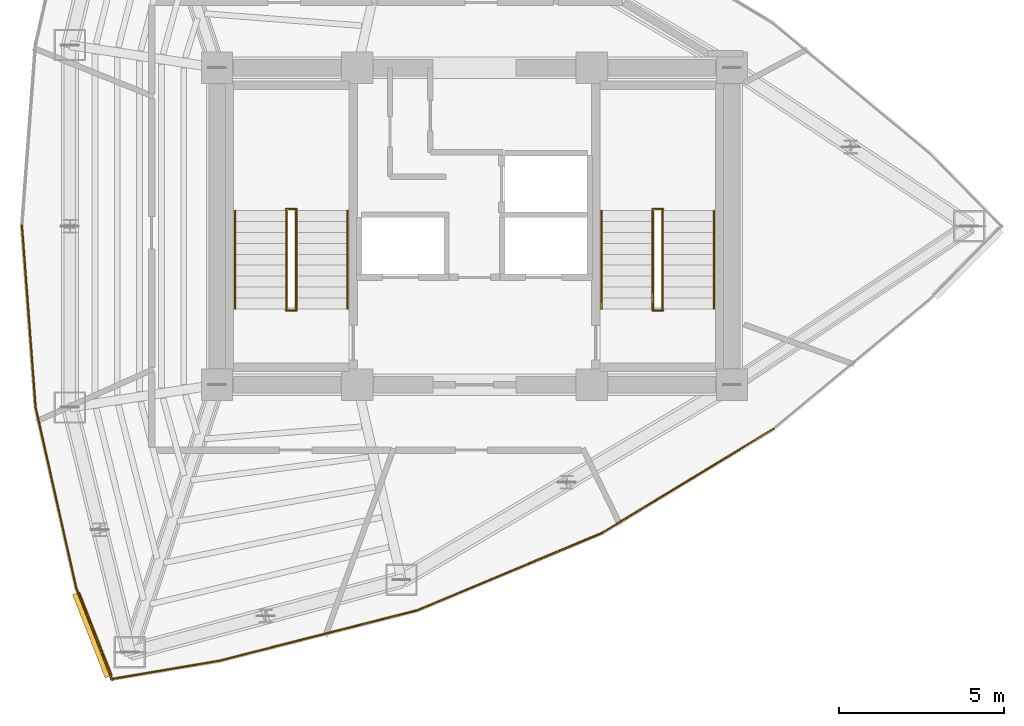
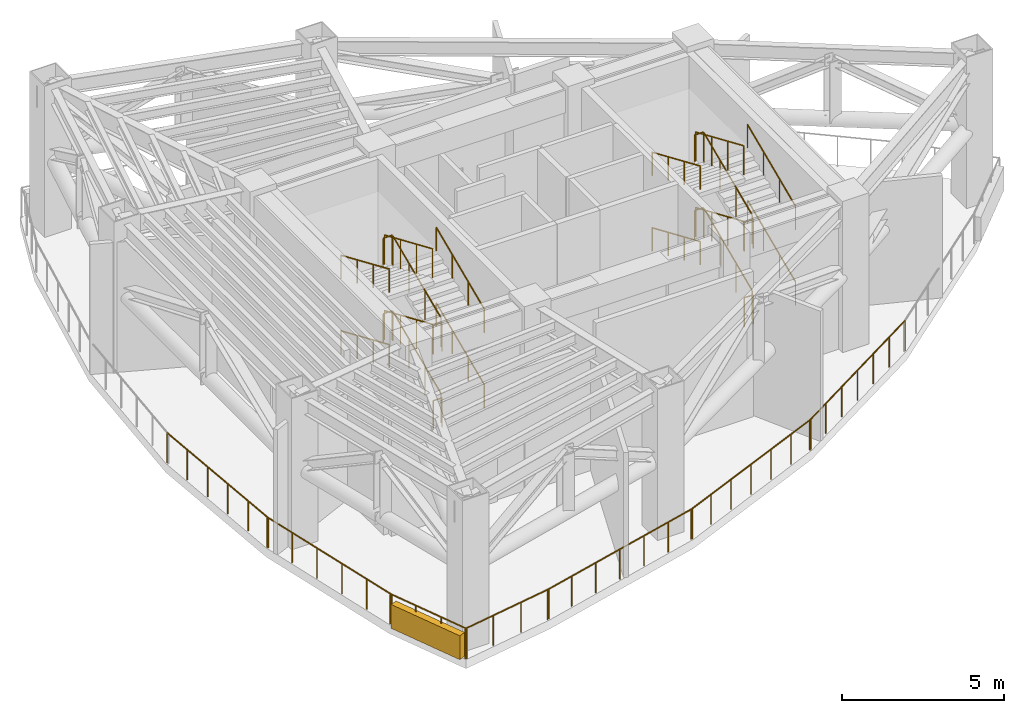
# One storey, part 5 of 6: 31 railings, 1 shading device.
"""IFC4 building model written with IfcOpenShell, lengths in metres."""

from ifc_helpers import new_model, si_unit, direction, frame, origin, origin_2d, place, context, subcontext, project, spatial, rectangle, circle, extrude, material, layer, layer_set, type_object, element, save


model = new_model("IFC4")

# Units and contexts
model_context = context("Model", 3, precision=1e-05, world=origin(), true_north=direction((0.0, 1.0)))
body_context = subcontext(model_context, "Body", "Model", "MODEL_VIEW")
ifc_project = project(units=[si_unit("LENGTHUNIT", "METRE"), si_unit("AREAUNIT", "SQUARE_METRE"), si_unit("VOLUMEUNIT", "CUBIC_METRE"), si_unit("PLANEANGLEUNIT", "RADIAN"), si_unit("MASSUNIT", "GRAM", prefix="KILO")], contexts=[model_context])

# Site, building, storey
site_placement = place(None, origin())
site = spatial("IfcSite", under=ifc_project, at=site_placement, CompositionType="ELEMENT")
building_placement = place(site_placement, origin())
building = spatial("IfcBuilding", under=site, at=building_placement, Name="Menara Vayukalpa", CompositionType="ELEMENT")
storey_placement = place(building_placement, frame((0.0, 0.0, 213.840087890625)))
storey = spatial("IfcBuildingStorey", under=building, at=storey_placement, Name="L54", CompositionType="ELEMENT", Elevation=213.840087890625)

# Railings
ifc_material_1 = material(Name="Laminated Glass and Stainless Steel 316 Guardrail", Category="steel")
railing_type_1 = type_object("IfcRailingType", Name="RLG-EXT115", PredefinedType="GUARDRAIL", material=ifc_material_1)
railing_1_placement = place(storey_placement, frame((34.657958984375, 15.865234375, 0.0)))
element("IfcRailing", 1, at=railing_1_placement, inside=storey, type_object=railing_type_1, Name="L54 Wind Floor Perimeter Guardrail 02", PredefinedType="GUARDRAIL", context=body_context, shape_type="SweptSolid", body=[
    extrude(circle(Radius=0.02392578125, at=origin_2d()), frame((0.0, 0.0, 1.1259765625), z_axis=(-0.854662264989, -0.51918437265, 0.0), x_axis=(0.51918437265, -0.854662264989, 0.0)), (0.0, 0.0, 1.0), 6.115966796875),
    extrude(circle(Radius=0.02099609375, at=origin_2d()), origin(), (0.0, 0.0, 1.0), 1.101806640625),
    extrude(circle(Radius=0.02099609375, at=origin_2d()), frame((-0.87109375, -0.529296875, 0.0)), (0.0, 0.0, 1.0), 1.101806640625),
    extrude(circle(Radius=0.02099609375, at=origin_2d()), frame((-1.742431640625, -1.058349609375, 0.0)), (0.0, 0.0, 1.0), 1.101806640625),
    extrude(circle(Radius=0.02099609375, at=origin_2d()), frame((-2.613525390625, -1.587646484375, 0.0)), (0.0, 0.0, 1.0), 1.101806640625),
    extrude(circle(Radius=0.02099609375, at=origin_2d()), frame((-3.484619140625, -2.116943359375, 0.0)), (0.0, 0.0, 1.0), 1.101806640625),
    extrude(circle(Radius=0.02099609375, at=origin_2d()), frame((-4.35595703125, -2.64599609375, 0.0)), (0.0, 0.0, 1.0), 1.101806640625),
    extrude(circle(Radius=0.02099609375, at=origin_2d()), frame((-5.22705078125, -3.17529296875, 0.0)), (0.0, 0.0, 1.0), 1.101806640625),
])
railing_2_placement = place(storey_placement, frame((29.484130859375, 12.717041015625, 0.0)))
element("IfcRailing", 2, at=railing_2_placement, inside=storey, type_object=railing_type_1, Name="L54 Wind Floor Perimeter Guardrail 03", PredefinedType="GUARDRAIL", context=body_context, shape_type="SweptSolid", body=[
    extrude(circle(Radius=0.02392578125, at=origin_2d()), frame((0.0, 0.0, 1.1259765625), z_axis=(-0.922545773608, -0.385887672254, 0.0), x_axis=(0.385887672254, -0.922545773608, 0.0)), (0.0, 0.0, 1.0), 6.115966796875),
    extrude(circle(Radius=0.02099609375, at=origin_2d()), origin(), (0.0, 0.0, 1.0), 1.101806640625),
    extrude(circle(Radius=0.02099609375, at=origin_2d()), frame((-0.9404296875, -0.393310546875, 0.0)), (0.0, 0.0, 1.0), 1.101806640625),
    extrude(circle(Radius=0.02099609375, at=origin_2d()), frame((-1.880859375, -0.78662109375, 0.0)), (0.0, 0.0, 1.0), 1.101806640625),
    extrude(circle(Radius=0.02099609375, at=origin_2d()), frame((-2.8212890625, -1.18017578125, 0.0)), (0.0, 0.0, 1.0), 1.101806640625),
    extrude(circle(Radius=0.02099609375, at=origin_2d()), frame((-3.761474609375, -1.573486328125, 0.0)), (0.0, 0.0, 1.0), 1.101806640625),
    extrude(circle(Radius=0.02099609375, at=origin_2d()), frame((-4.701904296875, -1.966796875, 0.0)), (0.0, 0.0, 1.0), 1.101806640625),
    extrude(circle(Radius=0.02099609375, at=origin_2d()), frame((-5.642333984375, -2.360107421875, 0.0)), (0.0, 0.0, 1.0), 1.101806640625),
])
railing_3_placement = place(storey_placement, frame((23.898681640625, 10.3759765625, 0.0)))
element("IfcRailing", 3, at=railing_3_placement, inside=storey, type_object=railing_type_1, Name="L54 Wind Floor Perimeter Guardrail 04", PredefinedType="GUARDRAIL", context=body_context, shape_type="SweptSolid", body=[
    extrude(circle(Radius=0.02392578125, at=origin_2d()), frame((0.0, 0.0, 1.1259765625), z_axis=(-0.968983191486, -0.247126636803, 0.0), x_axis=(0.247126636803, -0.968983191486, 0.0)), (0.0, 0.0, 1.0), 6.25244140625),
    extrude(circle(Radius=0.02099609375, at=origin_2d()), origin(), (0.0, 0.0, 1.0), 1.101806640625),
    extrude(circle(Radius=0.02099609375, at=origin_2d()), frame((-1.009765625, -0.257568359375, 0.0)), (0.0, 0.0, 1.0), 1.101806640625),
    extrude(circle(Radius=0.02099609375, at=origin_2d()), frame((-2.01953125, -0.51513671875, 0.0)), (0.0, 0.0, 1.0), 1.101806640625),
    extrude(circle(Radius=0.02099609375, at=origin_2d()), frame((-3.029296875, -0.7724609375, 0.0)), (0.0, 0.0, 1.0), 1.101806640625),
    extrude(circle(Radius=0.02099609375, at=origin_2d()), frame((-4.0390625, -1.030029296875, 0.0)), (0.0, 0.0, 1.0), 1.101806640625),
    extrude(circle(Radius=0.02099609375, at=origin_2d()), frame((-5.048828125, -1.28759765625, 0.0)), (0.0, 0.0, 1.0), 1.101806640625),
    extrude(circle(Radius=0.02099609375, at=origin_2d()), frame((-6.05859375, -1.545166015625, 0.0)), (0.0, 0.0, 1.0), 1.101806640625),
])
railing_4_placement = place(storey_placement, frame((17.898681640625, 8.84326171875, 0.0)))
element("IfcRailing", 4, at=railing_4_placement, inside=storey, type_object=railing_type_1, Name="L54 Wind Floor Perimeter Guardrail 05", PredefinedType="GUARDRAIL", context=body_context, shape_type="SweptSolid", body=[
    extrude(circle(Radius=0.02392578125, at=origin_2d()), frame((0.0, 0.0, 1.1259765625), z_axis=(-0.985894261888, -0.167369365108, 0.0), x_axis=(0.167369365108, -0.985894261888, 0.0)), (0.0, 0.0, 1.0), 3.35791015625),
    extrude(circle(Radius=0.02099609375, at=origin_2d()), origin(), (0.0, 0.0, 1.0), 1.101806640625),
    extrude(circle(Radius=0.02099609375, at=origin_2d()), frame((-1.103515625, -0.187255859375, 0.0)), (0.0, 0.0, 1.0), 1.101806640625),
    extrude(circle(Radius=0.02099609375, at=origin_2d()), frame((-2.20703125, -0.374755859375, 0.0)), (0.0, 0.0, 1.0), 1.101806640625),
    extrude(circle(Radius=0.02099609375, at=origin_2d()), frame((-3.310546875, -0.56201171875, 0.0)), (0.0, 0.0, 1.0), 1.101806640625),
])
railing_5_placement = place(storey_placement, frame((14.62890625, 8.25830078125, 0.0)))
element("IfcRailing", 5, at=railing_5_placement, inside=storey, type_object=railing_type_1, Name="L54 Wind Floor Perimeter Guardrail 06", PredefinedType="GUARDRAIL", context=body_context, shape_type="SweptSolid", body=[
    extrude(circle(Radius=0.02392578125, at=origin_2d()), frame((0.0, 0.0, 1.1259765625), z_axis=(-0.365594801892, 0.930774108379, 0.0), x_axis=(-0.930774108379, -0.365594801892, 0.0)), (0.0, 0.0, 1.0), 3.017822265625),
    extrude(circle(Radius=0.02099609375, at=origin_2d()), origin(), (0.0, 0.0, 1.0), 1.101806640625),
    extrude(circle(Radius=0.02099609375, at=origin_2d()), frame((-0.36767578125, 0.936279296875, 0.0)), (0.0, 0.0, 1.0), 1.101806640625),
    extrude(circle(Radius=0.02099609375, at=origin_2d()), frame((-0.735595703125, 1.87255859375, 0.0)), (0.0, 0.0, 1.0), 1.101806640625),
    extrude(circle(Radius=0.02099609375, at=origin_2d()), frame((-1.103271484375, 2.808837890625, 0.0)), (0.0, 0.0, 1.0), 1.101806640625),
])
railing_6_placement = place(storey_placement, frame((13.543212890625, 11.010009765625, 0.0)))
element("IfcRailing", 6, at=railing_6_placement, inside=storey, type_object=railing_type_1, Name="L54 Wind Floor Perimeter Guardrail 07", PredefinedType="GUARDRAIL", context=body_context, shape_type="SweptSolid", body=[
    extrude(circle(Radius=0.02392578125, at=origin_2d()), frame((0.0, 0.0, 1.1259765625), z_axis=(-0.219529590651, 0.975605841941, 0.0), x_axis=(-0.975605841941, -0.219529590651, 0.0)), (0.0, 0.0, 1.0), 5.67724609375),
    extrude(circle(Radius=0.02099609375, at=origin_2d()), origin(), (0.0, 0.0, 1.0), 1.101806640625),
    extrude(circle(Radius=0.02099609375, at=origin_2d()), frame((-0.249267578125, 1.107666015625, 0.0)), (0.0, 0.0, 1.0), 1.101806640625),
    extrude(circle(Radius=0.02099609375, at=origin_2d()), frame((-0.49853515625, 2.215576171875, 0.0)), (0.0, 0.0, 1.0), 1.101806640625),
    extrude(circle(Radius=0.02099609375, at=origin_2d()), frame((-0.747802734375, 3.3232421875, 0.0)), (0.0, 0.0, 1.0), 1.101806640625),
    extrude(circle(Radius=0.02099609375, at=origin_2d()), frame((-0.9970703125, 4.43115234375, 0.0)), (0.0, 0.0, 1.0), 1.101806640625),
    extrude(circle(Radius=0.02099609375, at=origin_2d()), frame((-1.246337890625, 5.538818359375, 0.0)), (0.0, 0.0, 1.0), 1.101806640625),
])
railing_7_placement = place(storey_placement, frame((12.3056640625, 16.48974609375, 0.0)))
element("IfcRailing", 7, at=railing_7_placement, inside=storey, type_object=railing_type_1, Name="L54 Wind Floor Perimeter Guardrail 08", PredefinedType="GUARDRAIL", context=body_context, shape_type="SweptSolid", body=[
    extrude(circle(Radius=0.02392578125, at=origin_2d()), frame((0.0, 0.0, 1.1259765625), z_axis=(-0.074794318156, 0.997198982135, 0.0), x_axis=(-0.997198982135, -0.074794318156, 0.0)), (0.0, 0.0, 1.0), 5.5556640625),
    extrude(circle(Radius=0.02099609375, at=origin_2d()), origin(), (0.0, 0.0, 1.0), 1.101806640625),
    extrude(circle(Radius=0.02099609375, at=origin_2d()), frame((-0.0830078125, 1.10791015625, 0.0)), (0.0, 0.0, 1.0), 1.101806640625),
    extrude(circle(Radius=0.02099609375, at=origin_2d()), frame((-0.166259765625, 2.216064453125, 0.0)), (0.0, 0.0, 1.0), 1.101806640625),
    extrude(circle(Radius=0.02099609375, at=origin_2d()), frame((-0.249267578125, 3.323974609375, 0.0)), (0.0, 0.0, 1.0), 1.101806640625),
    extrude(circle(Radius=0.02099609375, at=origin_2d()), frame((-0.33251953125, 4.43212890625, 0.0)), (0.0, 0.0, 1.0), 1.101806640625),
    extrude(circle(Radius=0.02099609375, at=origin_2d()), frame((-0.41552734375, 5.5400390625, 0.0)), (0.0, 0.0, 1.0), 1.101806640625),
])
ifc_material_2 = material(Name="Powder-Coated Galvanised Steel Guardrail", Category="steel")
railing_type_2 = type_object("IfcRailingType", Name="RLG-STG110", PredefinedType="GUARDRAIL", material=ifc_material_2)
railing_8_placement = place(storey_placement, frame((20.199951171875, 19.5, 0.142333984375)))
element("IfcRailing", 8, at=railing_8_placement, inside=storey, type_object=railing_type_2, Name="L54 ST-1 stair guard 1", PredefinedType="GUARDRAIL", context=body_context, shape_type="SweptSolid", body=[
    extrude(circle(Radius=0.02392578125, at=origin_2d()), frame((0.0, 0.0, 1.09619140625), z_axis=(0.0, 0.918064226254, 0.39643167945), x_axis=(-1.0, 0.0, 0.0)), (0.0, 0.0, 1.0), 3.235107421875),
    extrude(circle(Radius=0.02099609375, at=origin_2d()), origin(), (0.0, 0.0, 1.0), 1.072021484375),
    extrude(circle(Radius=0.02099609375, at=origin_2d()), frame((0.0, 0.989990234375, 0.427490234375)), (0.0, 0.0, 1.0), 1.072021484375),
    extrude(circle(Radius=0.02099609375, at=origin_2d()), frame((0.0, 1.97998046875, 0.85498046875)), (0.0, 0.0, 1.0), 1.072021484375),
    extrude(circle(Radius=0.02099609375, at=origin_2d()), frame((0.0, 2.969970703125, 1.282470703125)), (0.0, 0.0, 1.0), 1.072021484375),
])
railing_9_placement = place(storey_placement, frame((20.2099609375, 22.52001953125, 1.4248046875)))
element("IfcRailing", 9, at=railing_9_placement, inside=storey, type_object=railing_type_2, Name="L54 ST-1 stair guard 2", PredefinedType="GUARDRAIL", context=body_context, shape_type="SweptSolid", body=[
    extrude(circle(Radius=0.02392578125, at=origin_2d()), frame((0.0, 0.0, 1.09619140625), z_axis=(-1.0, 0.0, 0.0), x_axis=(0.0, -1.0, 0.0)), (0.0, 0.0, 1.0), 0.320068359375),
    extrude(circle(Radius=0.02099609375, at=origin_2d()), origin(), (0.0, 0.0, 1.0), 1.072021484375),
    extrude(circle(Radius=0.02099609375, at=origin_2d()), frame((-0.320068359375, 0.0, 0.0)), (0.0, 0.0, 1.0), 1.072021484375),
])
railing_10_placement = place(storey_placement, frame((19.89990234375, 22.469970703125, 1.5673828125)))
element("IfcRailing", 10, at=railing_10_placement, inside=storey, type_object=railing_type_2, Name="L54 ST-1 stair guard 3", PredefinedType="GUARDRAIL", context=body_context, shape_type="SweptSolid", body=[
    extrude(circle(Radius=0.02392578125, at=origin_2d()), frame((0.0, 0.0, 1.09619140625), z_axis=(0.0, -0.918064226254, 0.39643167945), x_axis=(1.0, 0.0, 0.0)), (0.0, 0.0, 1.0), 3.235107421875),
    extrude(circle(Radius=0.02099609375, at=origin_2d()), origin(), (0.0, 0.0, 1.0), 1.072021484375),
    extrude(circle(Radius=0.02099609375, at=origin_2d()), frame((0.0, -0.989990234375, 0.427490234375)), (0.0, 0.0, 1.0), 1.072021484375),
    extrude(circle(Radius=0.02099609375, at=origin_2d()), frame((0.0, -1.97998046875, 0.85498046875)), (0.0, 0.0, 1.0), 1.072021484375),
    extrude(circle(Radius=0.02099609375, at=origin_2d()), frame((0.0, -2.969970703125, 1.282470703125)), (0.0, 0.0, 1.0), 1.072021484375),
])
railing_11_placement = place(storey_placement, frame((20.2099609375, 19.449951171875, 2.849853515625)))
element("IfcRailing", 11, at=railing_11_placement, inside=storey, type_object=railing_type_2, Name="L54 ST-1 stair guard 4", PredefinedType="GUARDRAIL", context=body_context, shape_type="SweptSolid", body=[
    extrude(circle(Radius=0.02392578125, at=origin_2d()), frame((0.0, 0.0, 1.09619140625), z_axis=(-1.0, 0.0, 0.0), x_axis=(0.0, -1.0, 0.0)), (0.0, 0.0, 1.0), 0.320068359375),
    extrude(circle(Radius=0.02099609375, at=origin_2d()), origin(), (0.0, 0.0, 1.0), 1.072021484375),
    extrude(circle(Radius=0.02099609375, at=origin_2d()), frame((-0.320068359375, 0.0, 0.0)), (0.0, 0.0, 1.0), 1.072021484375),
])
railing_12_placement = place(storey_placement, frame((20.199951171875, 19.5, 2.992431640625)))
element("IfcRailing", 12, at=railing_12_placement, inside=storey, type_object=railing_type_2, Name="L54 ST-1 stair guard 5", PredefinedType="GUARDRAIL", context=body_context, shape_type="SweptSolid", body=[
    extrude(circle(Radius=0.02392578125, at=origin_2d()), frame((0.0, 0.0, 1.09619140625), z_axis=(0.0, 0.918064226254, 0.39643167945), x_axis=(-1.0, 0.0, 0.0)), (0.0, 0.0, 1.0), 3.235107421875),
    extrude(circle(Radius=0.02099609375, at=origin_2d()), origin(), (0.0, 0.0, 1.0), 1.072021484375),
    extrude(circle(Radius=0.02099609375, at=origin_2d()), frame((0.0, 0.989990234375, 0.427490234375)), (0.0, 0.0, 1.0), 1.072021484375),
    extrude(circle(Radius=0.02099609375, at=origin_2d()), frame((0.0, 1.97998046875, 0.85498046875)), (0.0, 0.0, 1.0), 1.072021484375),
    extrude(circle(Radius=0.02099609375, at=origin_2d()), frame((0.0, 2.969970703125, 1.282470703125)), (0.0, 0.0, 1.0), 1.072021484375),
])
railing_13_placement = place(storey_placement, frame((20.2099609375, 22.52001953125, 4.27490234375)))
element("IfcRailing", 13, at=railing_13_placement, inside=storey, type_object=railing_type_2, Name="L54 ST-1 stair guard 6", PredefinedType="GUARDRAIL", context=body_context, shape_type="SweptSolid", body=[
    extrude(circle(Radius=0.02392578125, at=origin_2d()), frame((0.0, 0.0, 1.09619140625), z_axis=(-1.0, 0.0, 0.0), x_axis=(0.0, -1.0, 0.0)), (0.0, 0.0, 1.0), 0.320068359375),
    extrude(circle(Radius=0.02099609375, at=origin_2d()), origin(), (0.0, 0.0, 1.0), 1.072021484375),
    extrude(circle(Radius=0.02099609375, at=origin_2d()), frame((-0.320068359375, 0.0, 0.0)), (0.0, 0.0, 1.0), 1.072021484375),
])
railing_14_placement = place(storey_placement, frame((19.89990234375, 22.469970703125, 4.41748046875)))
element("IfcRailing", 14, at=railing_14_placement, inside=storey, type_object=railing_type_2, Name="L54 ST-1 stair guard 7", PredefinedType="GUARDRAIL", context=body_context, shape_type="SweptSolid", body=[
    extrude(circle(Radius=0.02392578125, at=origin_2d()), frame((0.0, 0.0, 1.09619140625), z_axis=(0.0, -0.918064226254, 0.39643167945), x_axis=(1.0, 0.0, 0.0)), (0.0, 0.0, 1.0), 3.235107421875),
    extrude(circle(Radius=0.02099609375, at=origin_2d()), origin(), (0.0, 0.0, 1.0), 1.072021484375),
    extrude(circle(Radius=0.02099609375, at=origin_2d()), frame((0.0, -0.989990234375, 0.427490234375)), (0.0, 0.0, 1.0), 1.072021484375),
    extrude(circle(Radius=0.02099609375, at=origin_2d()), frame((0.0, -1.97998046875, 0.85498046875)), (0.0, 0.0, 1.0), 1.072021484375),
    extrude(circle(Radius=0.02099609375, at=origin_2d()), frame((0.0, -2.969970703125, 1.282470703125)), (0.0, 0.0, 1.0), 1.072021484375),
])
railing_15_placement = place(storey_placement, frame((20.2099609375, 19.449951171875, 0.0)))
element("IfcRailing", 15, at=railing_15_placement, inside=storey, type_object=railing_type_2, Name="L54 ST-1 stair guard 8", PredefinedType="GUARDRAIL", context=body_context, shape_type="SweptSolid", body=[
    extrude(circle(Radius=0.02392578125, at=origin_2d()), frame((0.0, 0.0, 1.09619140625), z_axis=(-1.0, 0.0, 0.0), x_axis=(0.0, -1.0, 0.0)), (0.0, 0.0, 1.0), 0.320068359375),
    extrude(circle(Radius=0.02099609375, at=origin_2d()), origin(), (0.0, 0.0, 1.0), 1.072021484375),
    extrude(circle(Radius=0.02099609375, at=origin_2d()), frame((-0.320068359375, 0.0, 0.0)), (0.0, 0.0, 1.0), 1.072021484375),
])
railing_16_placement = place(storey_placement, frame((31.300048828125, 19.5, 0.142333984375)))
element("IfcRailing", 16, at=railing_16_placement, inside=storey, type_object=railing_type_2, Name="L54 ST-2 stair guard 1", PredefinedType="GUARDRAIL", context=body_context, shape_type="SweptSolid", body=[
    extrude(circle(Radius=0.02392578125, at=origin_2d()), frame((0.0, 0.0, 1.09619140625), z_axis=(0.0, 0.918064226254, 0.39643167945), x_axis=(-1.0, 0.0, 0.0)), (0.0, 0.0, 1.0), 3.235107421875),
    extrude(circle(Radius=0.02099609375, at=origin_2d()), origin(), (0.0, 0.0, 1.0), 1.072021484375),
    extrude(circle(Radius=0.02099609375, at=origin_2d()), frame((0.0, 0.989990234375, 0.427490234375)), (0.0, 0.0, 1.0), 1.072021484375),
    extrude(circle(Radius=0.02099609375, at=origin_2d()), frame((0.0, 1.97998046875, 0.85498046875)), (0.0, 0.0, 1.0), 1.072021484375),
    extrude(circle(Radius=0.02099609375, at=origin_2d()), frame((0.0, 2.969970703125, 1.282470703125)), (0.0, 0.0, 1.0), 1.072021484375),
])
railing_17_placement = place(storey_placement, frame((31.31005859375, 22.52001953125, 1.4248046875)))
element("IfcRailing", 17, at=railing_17_placement, inside=storey, type_object=railing_type_2, Name="L54 ST-2 stair guard 2", PredefinedType="GUARDRAIL", context=body_context, shape_type="SweptSolid", body=[
    extrude(circle(Radius=0.02392578125, at=origin_2d()), frame((0.0, 0.0, 1.09619140625), z_axis=(-1.0, 0.0, 0.0), x_axis=(0.0, -1.0, 0.0)), (0.0, 0.0, 1.0), 0.320068359375),
    extrude(circle(Radius=0.02099609375, at=origin_2d()), origin(), (0.0, 0.0, 1.0), 1.072021484375),
    extrude(circle(Radius=0.02099609375, at=origin_2d()), frame((-0.320068359375, 0.0, 0.0)), (0.0, 0.0, 1.0), 1.072021484375),
])
railing_18_placement = place(storey_placement, frame((31.0, 22.469970703125, 1.5673828125)))
element("IfcRailing", 18, at=railing_18_placement, inside=storey, type_object=railing_type_2, Name="L54 ST-2 stair guard 3", PredefinedType="GUARDRAIL", context=body_context, shape_type="SweptSolid", body=[
    extrude(circle(Radius=0.02392578125, at=origin_2d()), frame((0.0, 0.0, 1.09619140625), z_axis=(0.0, -0.918064226254, 0.39643167945), x_axis=(1.0, 0.0, 0.0)), (0.0, 0.0, 1.0), 3.235107421875),
    extrude(circle(Radius=0.02099609375, at=origin_2d()), origin(), (0.0, 0.0, 1.0), 1.072021484375),
    extrude(circle(Radius=0.02099609375, at=origin_2d()), frame((0.0, -0.989990234375, 0.427490234375)), (0.0, 0.0, 1.0), 1.072021484375),
    extrude(circle(Radius=0.02099609375, at=origin_2d()), frame((0.0, -1.97998046875, 0.85498046875)), (0.0, 0.0, 1.0), 1.072021484375),
    extrude(circle(Radius=0.02099609375, at=origin_2d()), frame((0.0, -2.969970703125, 1.282470703125)), (0.0, 0.0, 1.0), 1.072021484375),
])
railing_19_placement = place(storey_placement, frame((31.31005859375, 19.449951171875, 2.849853515625)))
element("IfcRailing", 19, at=railing_19_placement, inside=storey, type_object=railing_type_2, Name="L54 ST-2 stair guard 4", PredefinedType="GUARDRAIL", context=body_context, shape_type="SweptSolid", body=[
    extrude(circle(Radius=0.02392578125, at=origin_2d()), frame((0.0, 0.0, 1.09619140625), z_axis=(-1.0, 0.0, 0.0), x_axis=(0.0, -1.0, 0.0)), (0.0, 0.0, 1.0), 0.320068359375),
    extrude(circle(Radius=0.02099609375, at=origin_2d()), origin(), (0.0, 0.0, 1.0), 1.072021484375),
    extrude(circle(Radius=0.02099609375, at=origin_2d()), frame((-0.320068359375, 0.0, 0.0)), (0.0, 0.0, 1.0), 1.072021484375),
])
railing_20_placement = place(storey_placement, frame((31.300048828125, 19.5, 2.992431640625)))
element("IfcRailing", 20, at=railing_20_placement, inside=storey, type_object=railing_type_2, Name="L54 ST-2 stair guard 5", PredefinedType="GUARDRAIL", context=body_context, shape_type="SweptSolid", body=[
    extrude(circle(Radius=0.02392578125, at=origin_2d()), frame((0.0, 0.0, 1.09619140625), z_axis=(0.0, 0.918064226254, 0.39643167945), x_axis=(-1.0, 0.0, 0.0)), (0.0, 0.0, 1.0), 3.235107421875),
    extrude(circle(Radius=0.02099609375, at=origin_2d()), origin(), (0.0, 0.0, 1.0), 1.072021484375),
    extrude(circle(Radius=0.02099609375, at=origin_2d()), frame((0.0, 0.989990234375, 0.427490234375)), (0.0, 0.0, 1.0), 1.072021484375),
    extrude(circle(Radius=0.02099609375, at=origin_2d()), frame((0.0, 1.97998046875, 0.85498046875)), (0.0, 0.0, 1.0), 1.072021484375),
    extrude(circle(Radius=0.02099609375, at=origin_2d()), frame((0.0, 2.969970703125, 1.282470703125)), (0.0, 0.0, 1.0), 1.072021484375),
])
railing_21_placement = place(storey_placement, frame((31.31005859375, 22.52001953125, 4.27490234375)))
element("IfcRailing", 21, at=railing_21_placement, inside=storey, type_object=railing_type_2, Name="L54 ST-2 stair guard 6", PredefinedType="GUARDRAIL", context=body_context, shape_type="SweptSolid", body=[
    extrude(circle(Radius=0.02392578125, at=origin_2d()), frame((0.0, 0.0, 1.09619140625), z_axis=(-1.0, 0.0, 0.0), x_axis=(0.0, -1.0, 0.0)), (0.0, 0.0, 1.0), 0.320068359375),
    extrude(circle(Radius=0.02099609375, at=origin_2d()), origin(), (0.0, 0.0, 1.0), 1.072021484375),
    extrude(circle(Radius=0.02099609375, at=origin_2d()), frame((-0.320068359375, 0.0, 0.0)), (0.0, 0.0, 1.0), 1.072021484375),
])
railing_22_placement = place(storey_placement, frame((31.0, 22.469970703125, 4.41748046875)))
element("IfcRailing", 22, at=railing_22_placement, inside=storey, type_object=railing_type_2, Name="L54 ST-2 stair guard 7", PredefinedType="GUARDRAIL", context=body_context, shape_type="SweptSolid", body=[
    extrude(circle(Radius=0.02392578125, at=origin_2d()), frame((0.0, 0.0, 1.09619140625), z_axis=(0.0, -0.918064226254, 0.39643167945), x_axis=(1.0, 0.0, 0.0)), (0.0, 0.0, 1.0), 3.235107421875),
    extrude(circle(Radius=0.02099609375, at=origin_2d()), origin(), (0.0, 0.0, 1.0), 1.072021484375),
    extrude(circle(Radius=0.02099609375, at=origin_2d()), frame((0.0, -0.989990234375, 0.427490234375)), (0.0, 0.0, 1.0), 1.072021484375),
    extrude(circle(Radius=0.02099609375, at=origin_2d()), frame((0.0, -1.97998046875, 0.85498046875)), (0.0, 0.0, 1.0), 1.072021484375),
    extrude(circle(Radius=0.02099609375, at=origin_2d()), frame((0.0, -2.969970703125, 1.282470703125)), (0.0, 0.0, 1.0), 1.072021484375),
])
railing_23_placement = place(storey_placement, frame((31.31005859375, 19.449951171875, 0.0)))
element("IfcRailing", 23, at=railing_23_placement, inside=storey, type_object=railing_type_2, Name="L54 ST-2 stair guard 8", PredefinedType="GUARDRAIL", context=body_context, shape_type="SweptSolid", body=[
    extrude(circle(Radius=0.02392578125, at=origin_2d()), frame((0.0, 0.0, 1.09619140625), z_axis=(-1.0, 0.0, 0.0), x_axis=(0.0, -1.0, 0.0)), (0.0, 0.0, 1.0), 0.320068359375),
    extrude(circle(Radius=0.02099609375, at=origin_2d()), origin(), (0.0, 0.0, 1.0), 1.072021484375),
    extrude(circle(Radius=0.02099609375, at=origin_2d()), frame((-0.320068359375, 0.0, 0.0)), (0.0, 0.0, 1.0), 1.072021484375),
])
ifc_material_3 = material(Name="Stainless Steel 316 Tubular Handrail", Category="steel")
railing_type_3 = type_object("IfcRailingType", Name="RLG-STH090", PredefinedType="HANDRAIL", material=ifc_material_3)
railing_24_placement = place(storey_placement, frame((21.75, 19.5, 0.142333984375)))
element("IfcRailing", 24, at=railing_24_placement, inside=storey, type_object=railing_type_3, Name="L54 ST-1 stair handrail 1", PredefinedType="HANDRAIL", context=body_context, shape_type="SweptSolid", body=[
    extrude(circle(Radius=0.02392578125, at=origin_2d()), frame((0.0, 0.0, 0.8759765625), z_axis=(0.0, 0.918064226254, 0.39643167945), x_axis=(-1.0, 0.0, 0.0)), (0.0, 0.0, 1.0), 3.235107421875),
    extrude(circle(Radius=0.02099609375, at=origin_2d()), origin(), (0.0, 0.0, 1.0), 0.851806640625),
    extrude(circle(Radius=0.02099609375, at=origin_2d()), frame((0.0, 0.989990234375, 0.427490234375)), (0.0, 0.0, 1.0), 0.851806640625),
    extrude(circle(Radius=0.02099609375, at=origin_2d()), frame((0.0, 1.97998046875, 0.85498046875)), (0.0, 0.0, 1.0), 0.851806640625),
    extrude(circle(Radius=0.02099609375, at=origin_2d()), frame((0.0, 2.969970703125, 1.282470703125)), (0.0, 0.0, 1.0), 0.851806640625),
])
railing_25_placement = place(storey_placement, frame((18.35009765625, 22.469970703125, 1.5673828125)))
element("IfcRailing", 25, at=railing_25_placement, inside=storey, type_object=railing_type_3, Name="L54 ST-1 stair handrail 2", PredefinedType="HANDRAIL", context=body_context, shape_type="SweptSolid", body=[
    extrude(circle(Radius=0.02392578125, at=origin_2d()), frame((0.0, 0.0, 0.8759765625), z_axis=(0.0, -0.918064226254, 0.39643167945), x_axis=(1.0, 0.0, 0.0)), (0.0, 0.0, 1.0), 3.235107421875),
    extrude(circle(Radius=0.02099609375, at=origin_2d()), origin(), (0.0, 0.0, 1.0), 0.851806640625),
    extrude(circle(Radius=0.02099609375, at=origin_2d()), frame((0.0, -0.989990234375, 0.427490234375)), (0.0, 0.0, 1.0), 0.851806640625),
    extrude(circle(Radius=0.02099609375, at=origin_2d()), frame((0.0, -1.97998046875, 0.85498046875)), (0.0, 0.0, 1.0), 0.851806640625),
    extrude(circle(Radius=0.02099609375, at=origin_2d()), frame((0.0, -2.969970703125, 1.282470703125)), (0.0, 0.0, 1.0), 0.851806640625),
])
railing_26_placement = place(storey_placement, frame((21.75, 19.5, 2.992431640625)))
element("IfcRailing", 26, at=railing_26_placement, inside=storey, type_object=railing_type_3, Name="L54 ST-1 stair handrail 3", PredefinedType="HANDRAIL", context=body_context, shape_type="SweptSolid", body=[
    extrude(circle(Radius=0.02392578125, at=origin_2d()), frame((0.0, 0.0, 0.8759765625), z_axis=(0.0, 0.918064226254, 0.39643167945), x_axis=(-1.0, 0.0, 0.0)), (0.0, 0.0, 1.0), 3.235107421875),
    extrude(circle(Radius=0.02099609375, at=origin_2d()), origin(), (0.0, 0.0, 1.0), 0.851806640625),
    extrude(circle(Radius=0.02099609375, at=origin_2d()), frame((0.0, 0.989990234375, 0.427490234375)), (0.0, 0.0, 1.0), 0.851806640625),
    extrude(circle(Radius=0.02099609375, at=origin_2d()), frame((0.0, 1.97998046875, 0.85498046875)), (0.0, 0.0, 1.0), 0.851806640625),
    extrude(circle(Radius=0.02099609375, at=origin_2d()), frame((0.0, 2.969970703125, 1.282470703125)), (0.0, 0.0, 1.0), 0.851806640625),
])
railing_27_placement = place(storey_placement, frame((18.35009765625, 22.469970703125, 4.41748046875)))
element("IfcRailing", 27, at=railing_27_placement, inside=storey, type_object=railing_type_3, Name="L54 ST-1 stair handrail 4", PredefinedType="HANDRAIL", context=body_context, shape_type="SweptSolid", body=[
    extrude(circle(Radius=0.02392578125, at=origin_2d()), frame((0.0, 0.0, 0.8759765625), z_axis=(0.0, -0.918064226254, 0.39643167945), x_axis=(1.0, 0.0, 0.0)), (0.0, 0.0, 1.0), 3.235107421875),
    extrude(circle(Radius=0.02099609375, at=origin_2d()), origin(), (0.0, 0.0, 1.0), 0.851806640625),
    extrude(circle(Radius=0.02099609375, at=origin_2d()), frame((0.0, -0.989990234375, 0.427490234375)), (0.0, 0.0, 1.0), 0.851806640625),
    extrude(circle(Radius=0.02099609375, at=origin_2d()), frame((0.0, -1.97998046875, 0.85498046875)), (0.0, 0.0, 1.0), 0.851806640625),
    extrude(circle(Radius=0.02099609375, at=origin_2d()), frame((0.0, -2.969970703125, 1.282470703125)), (0.0, 0.0, 1.0), 0.851806640625),
])
railing_28_placement = place(storey_placement, frame((32.85009765625, 19.5, 0.142333984375)))
element("IfcRailing", 28, at=railing_28_placement, inside=storey, type_object=railing_type_3, Name="L54 ST-2 stair handrail 1", PredefinedType="HANDRAIL", context=body_context, shape_type="SweptSolid", body=[
    extrude(circle(Radius=0.02392578125, at=origin_2d()), frame((0.0, 0.0, 0.8759765625), z_axis=(0.0, 0.918064226254, 0.39643167945), x_axis=(-1.0, 0.0, 0.0)), (0.0, 0.0, 1.0), 3.235107421875),
    extrude(circle(Radius=0.02099609375, at=origin_2d()), origin(), (0.0, 0.0, 1.0), 0.851806640625),
    extrude(circle(Radius=0.02099609375, at=origin_2d()), frame((0.0, 0.989990234375, 0.427490234375)), (0.0, 0.0, 1.0), 0.851806640625),
    extrude(circle(Radius=0.02099609375, at=origin_2d()), frame((0.0, 1.97998046875, 0.85498046875)), (0.0, 0.0, 1.0), 0.851806640625),
    extrude(circle(Radius=0.02099609375, at=origin_2d()), frame((0.0, 2.969970703125, 1.282470703125)), (0.0, 0.0, 1.0), 0.851806640625),
])
railing_29_placement = place(storey_placement, frame((29.449951171875, 22.469970703125, 1.5673828125)))
element("IfcRailing", 29, at=railing_29_placement, inside=storey, type_object=railing_type_3, Name="L54 ST-2 stair handrail 2", PredefinedType="HANDRAIL", context=body_context, shape_type="SweptSolid", body=[
    extrude(circle(Radius=0.02392578125, at=origin_2d()), frame((0.0, 0.0, 0.8759765625), z_axis=(0.0, -0.918064226254, 0.39643167945), x_axis=(1.0, 0.0, 0.0)), (0.0, 0.0, 1.0), 3.235107421875),
    extrude(circle(Radius=0.02099609375, at=origin_2d()), origin(), (0.0, 0.0, 1.0), 0.851806640625),
    extrude(circle(Radius=0.02099609375, at=origin_2d()), frame((0.0, -0.989990234375, 0.427490234375)), (0.0, 0.0, 1.0), 0.851806640625),
    extrude(circle(Radius=0.02099609375, at=origin_2d()), frame((0.0, -1.97998046875, 0.85498046875)), (0.0, 0.0, 1.0), 0.851806640625),
    extrude(circle(Radius=0.02099609375, at=origin_2d()), frame((0.0, -2.969970703125, 1.282470703125)), (0.0, 0.0, 1.0), 0.851806640625),
])
railing_30_placement = place(storey_placement, frame((32.85009765625, 19.5, 2.992431640625)))
element("IfcRailing", 30, at=railing_30_placement, inside=storey, type_object=railing_type_3, Name="L54 ST-2 stair handrail 3", PredefinedType="HANDRAIL", context=body_context, shape_type="SweptSolid", body=[
    extrude(circle(Radius=0.02392578125, at=origin_2d()), frame((0.0, 0.0, 0.8759765625), z_axis=(0.0, 0.918064226254, 0.39643167945), x_axis=(-1.0, 0.0, 0.0)), (0.0, 0.0, 1.0), 3.235107421875),
    extrude(circle(Radius=0.02099609375, at=origin_2d()), origin(), (0.0, 0.0, 1.0), 0.851806640625),
    extrude(circle(Radius=0.02099609375, at=origin_2d()), frame((0.0, 0.989990234375, 0.427490234375)), (0.0, 0.0, 1.0), 0.851806640625),
    extrude(circle(Radius=0.02099609375, at=origin_2d()), frame((0.0, 1.97998046875, 0.85498046875)), (0.0, 0.0, 1.0), 0.851806640625),
    extrude(circle(Radius=0.02099609375, at=origin_2d()), frame((0.0, 2.969970703125, 1.282470703125)), (0.0, 0.0, 1.0), 0.851806640625),
])
railing_31_placement = place(storey_placement, frame((29.449951171875, 22.469970703125, 4.41748046875)))
element("IfcRailing", 31, at=railing_31_placement, inside=storey, type_object=railing_type_3, Name="L54 ST-2 stair handrail 4", PredefinedType="HANDRAIL", context=body_context, shape_type="SweptSolid", body=[
    extrude(circle(Radius=0.02392578125, at=origin_2d()), frame((0.0, 0.0, 0.8759765625), z_axis=(0.0, -0.918064226254, 0.39643167945), x_axis=(1.0, 0.0, 0.0)), (0.0, 0.0, 1.0), 3.235107421875),
    extrude(circle(Radius=0.02099609375, at=origin_2d()), origin(), (0.0, 0.0, 1.0), 0.851806640625),
    extrude(circle(Radius=0.02099609375, at=origin_2d()), frame((0.0, -0.989990234375, 0.427490234375)), (0.0, 0.0, 1.0), 0.851806640625),
    extrude(circle(Radius=0.02099609375, at=origin_2d()), frame((0.0, -1.97998046875, 0.85498046875)), (0.0, 0.0, 1.0), 0.851806640625),
    extrude(circle(Radius=0.02099609375, at=origin_2d()), frame((0.0, -2.969970703125, 1.282470703125)), (0.0, 0.0, 1.0), 0.851806640625),
])

# Shading device
ifc_material_4 = material(Name="Anodised Terracotta Aluminium Acoustic Louvre", Category="masonry")
ifc_layer = layer(ifc_material_4, 0.280029296875)
ifc_layer_set = layer_set([ifc_layer], Name="Anodised Terracotta Aluminium Acoustic Louvre")
shading_device_type = type_object("IfcShadingDeviceType", Name="SHD-LV1", PredefinedType="JALOUSIE", material=ifc_layer_set)
shading_device_placement = place(storey_placement, frame((14.029541015625, 9.6201171875, 0.0), z_axis=(0.0, 0.0, 1.0), x_axis=(0.365559185803, -0.930788097085, 0.0)))
element("IfcShadingDevice", 32, at=shading_device_placement, inside=storey, type_object=shading_device_type, Name="L54 Wind Floor Acoustic Louvre Screen 13", PredefinedType="JALOUSIE", context=body_context, shape_type="SweptSolid", body=[
    extrude(rectangle(XDim=2.7109375, YDim=0.239990234375, at=origin_2d()), origin(), (0.0, 0.0, 1.0), 0.89990234375),
])

save(model, "model.ifc")
